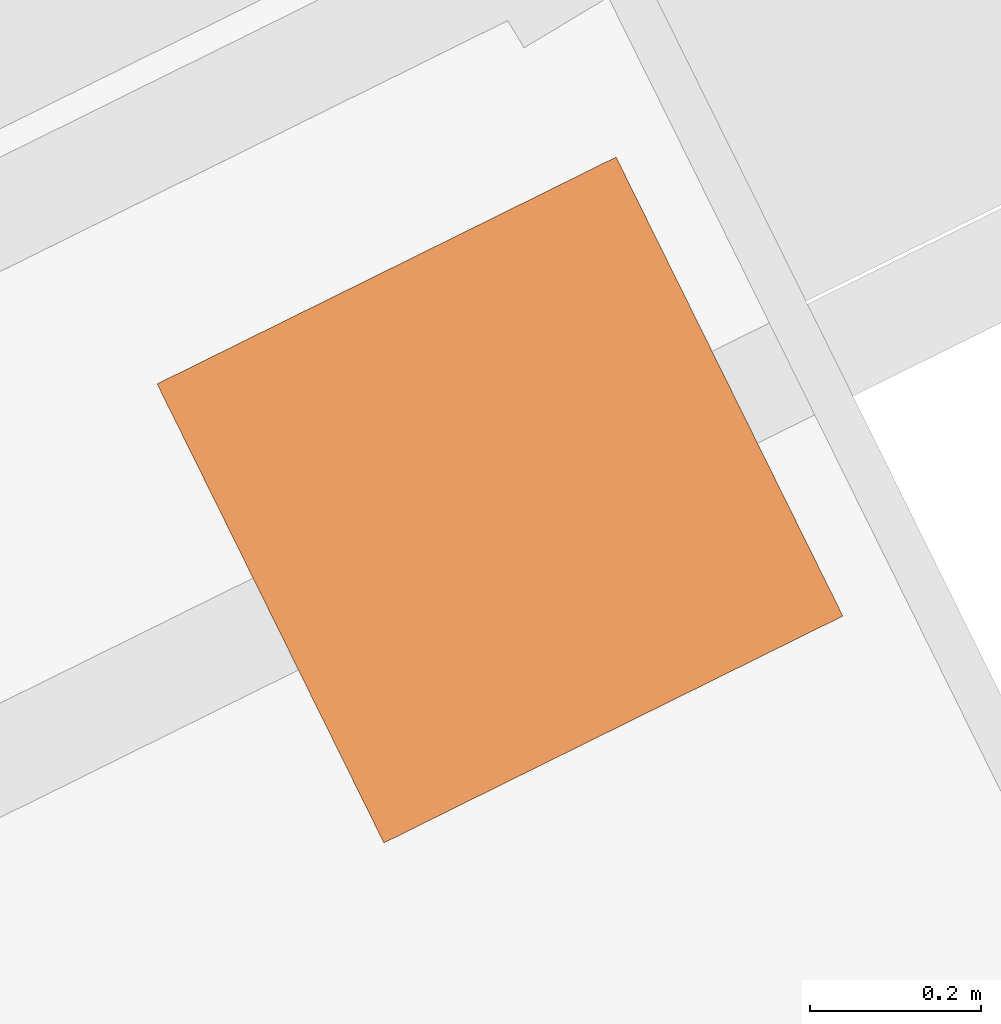
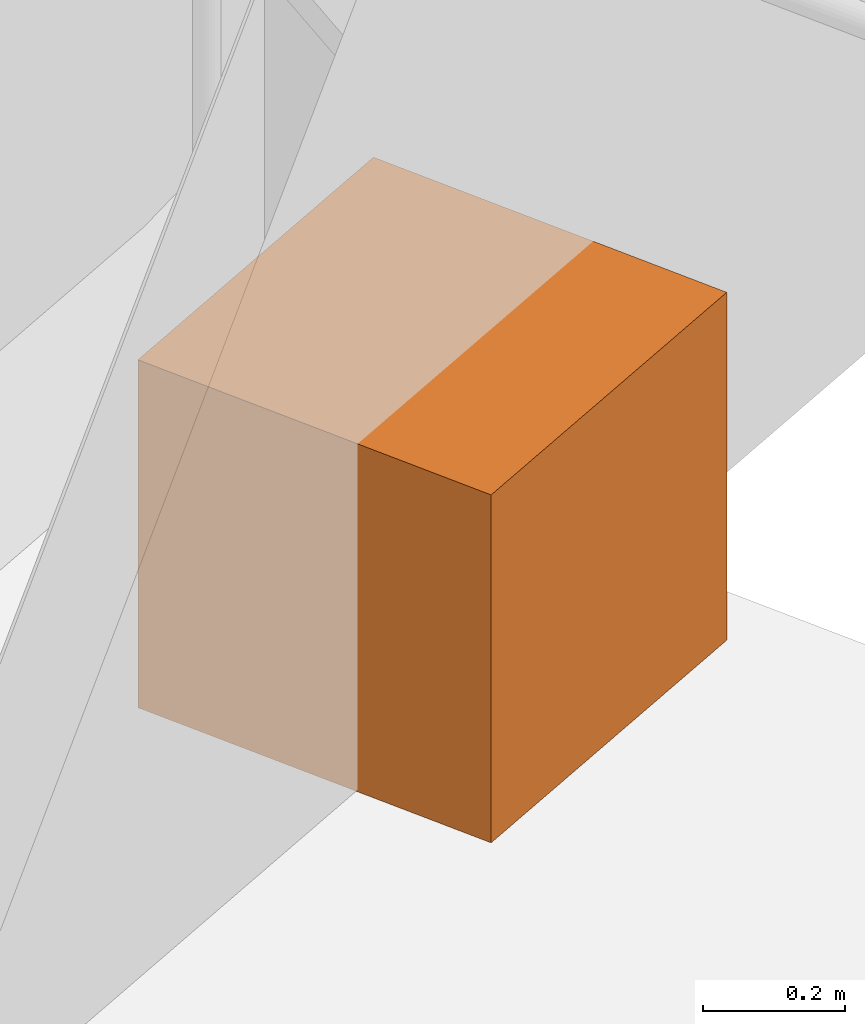
# One storey, part 21 of 21: 1 proxy.
"""IFC4 building model written with IfcOpenShell, lengths in metres."""

from ifc_helpers import new_model, si_unit, direction, frame, origin, origin_2d, place, context, subcontext, project, spatial, rectangle, extrude, material, type_object, element, save


model = new_model("IFC4")

# Units and contexts
model_context = context("Model", 3, precision=1e-05, world=origin(), true_north=direction((0.0, 1.0)))
body_context = subcontext(model_context, "Body", "Model", "MODEL_VIEW")
ifc_project = project(units=[si_unit("LENGTHUNIT", "METRE"), si_unit("AREAUNIT", "SQUARE_METRE"), si_unit("VOLUMEUNIT", "CUBIC_METRE"), si_unit("PLANEANGLEUNIT", "RADIAN"), si_unit("MASSUNIT", "GRAM", prefix="KILO")], contexts=[model_context])

# Site, building, storey
site_placement = place(None, origin())
site = spatial("IfcSite", under=ifc_project, at=site_placement, CompositionType="ELEMENT")
building_placement = place(site_placement, origin())
building = spatial("IfcBuilding", under=site, at=building_placement, Name="Tamarind Cross Interchange Tower", CompositionType="ELEMENT")
storey_placement = place(building_placement, frame((0.0, 0.0, 260.39990234375)))
storey = spatial("IfcBuildingStorey", under=building, at=storey_placement, Name="L66", CompositionType="ELEMENT", Elevation=260.39990234375)

# Proxy
ifc_material = material(Name="Concrete C30", Category="concrete")
building_element_proxy_type = type_object("IfcBuildingElementProxyType", Name="Planter", PredefinedType="USERDEFINED", material=ifc_material)
proxy_placement = place(storey_placement, origin())
element("IfcBuildingElementProxy", 1, at=proxy_placement, inside=storey, type_object=building_element_proxy_type, Name="PLT-L66-BAL01", ObjectType="Planter", PredefinedType="USERDEFINED", context=body_context, shape_type="SweptSolid", body=[
    extrude(rectangle(XDim=0.60009765625, YDim=0.60009765625, at=origin_2d()), frame((11.1708984375, -21.94775390625, 0.0), z_axis=(0.0, 0.0, 1.0), x_axis=(0.896492548518, 0.443058811505, 0.0)), (0.0, 0.0, 1.0), 0.60009765625),
])

save(model, "model.ifc")
